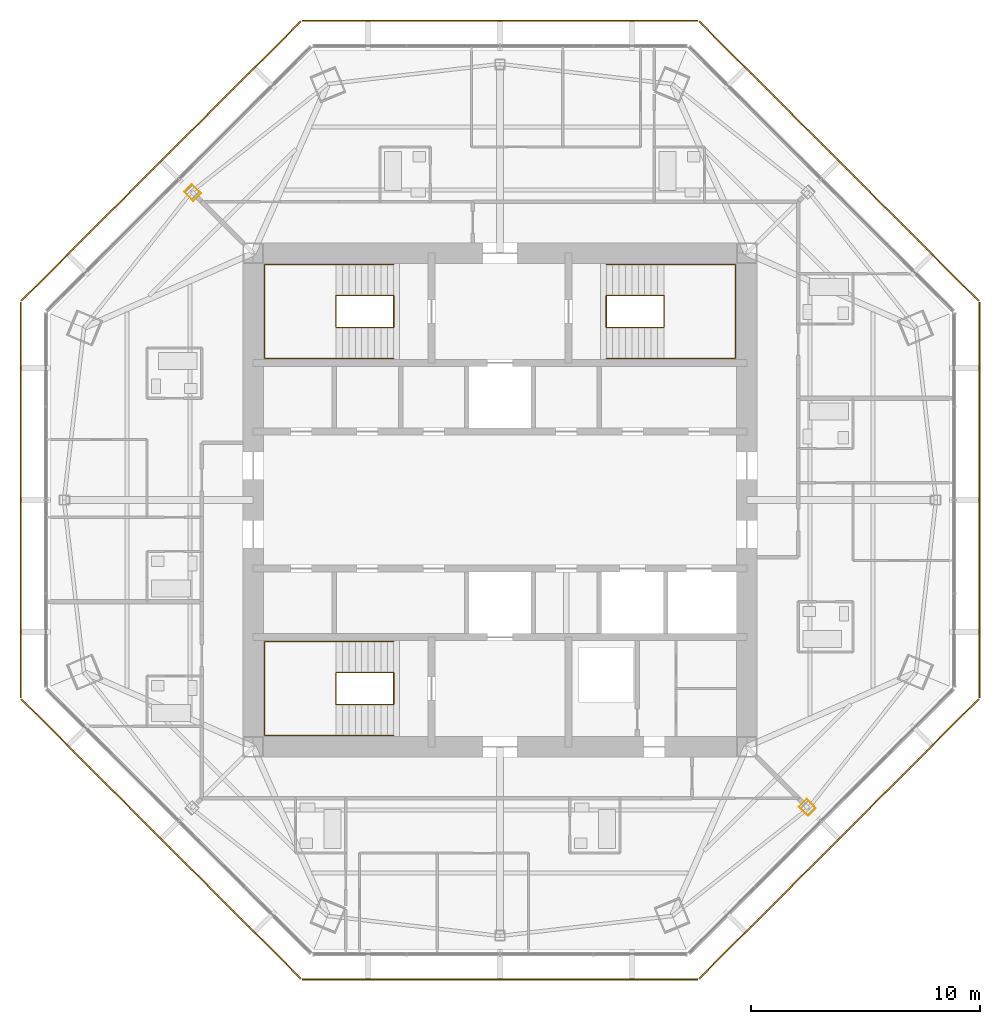
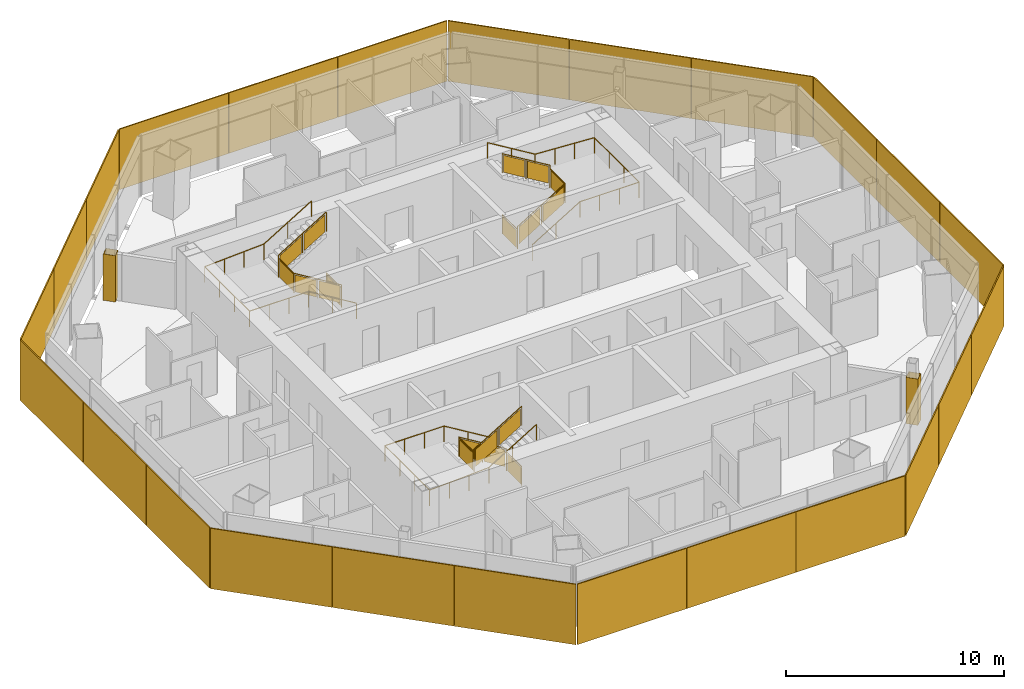
# One storey, part 13 of 14: 24 shading devices, 6 railings, 2 coverings.
"""IFC4 building model written with IfcOpenShell, lengths in metres."""

from ifc_helpers import new_model, si_unit, direction, frame, origin, origin_2d, place, context, subcontext, project, spatial, polyline, rectangle, circle, outline, extrude, source, transform, mapped, material, layer, layer_set, type_object, type_shapes, element, save


model = new_model("IFC4")

# Units and contexts
model_context = context("Model", 3, precision=1e-05, world=origin(), true_north=direction((0.0, 1.0)))
body_context = subcontext(model_context, "Body", "Model", "MODEL_VIEW")
ifc_project = project(units=[si_unit("LENGTHUNIT", "METRE"), si_unit("AREAUNIT", "SQUARE_METRE"), si_unit("VOLUMEUNIT", "CUBIC_METRE"), si_unit("PLANEANGLEUNIT", "RADIAN"), si_unit("MASSUNIT", "GRAM", prefix="KILO")], contexts=[model_context])

# Site, building, storey
site_placement = place(None, origin())
site = spatial("IfcSite", under=ifc_project, at=site_placement, CompositionType="ELEMENT")
building_placement = place(site_placement, origin())
building = spatial("IfcBuilding", under=site, at=building_placement, Name="Mashrafa Tower", CompositionType="ELEMENT")
storey_placement = place(building_placement, frame((0.0, 0.0, 287.800048828125)))
storey = spatial("IfcBuildingStorey", under=building, at=storey_placement, Name="L70", CompositionType="ELEMENT", Elevation=287.800048828125)

# Coverings
ifc_material_1 = material(Name="Gypsum board")
ifc_layer_1 = layer(ifc_material_1, 0.014892578125)
ifc_layer_set_1 = layer_set([ifc_layer_1], Name="Column casing plasterboard 15")
covering_type = type_object("IfcCoveringType", Name="Column casing plasterboard 15", PredefinedType="CLADDING", material=ifc_layer_set_1)
covering_1_placement = place(storey_placement, origin())
element("IfcCovering", 1, at=covering_1_placement, inside=storey, type_object=covering_type, Name="Column casing L70-001", PredefinedType="CLADDING", context=body_context, shape_type="SweptSolid", body=[
    extrude(outline(polyline([(-13.826416015625, 13.48681640625), (-13.48681640625, 13.826416015625), (-13.079345703125, 13.418701171875), (-13.418701171875, 13.079345703125), (-13.826416015625, 13.48681640625)]), holes=[polyline([(-13.1005859375, 13.418701171875), (-13.48681640625, 13.80517578125), (-13.80517578125, 13.48681640625), (-13.418701171875, 13.1005859375), (-13.1005859375, 13.418701171875)])]), origin(), (0.0, 0.0, 1.0), 2.590576171875),
])
covering_2_placement = place(storey_placement, origin())
element("IfcCovering", 2, at=covering_2_placement, inside=storey, type_object=covering_type, Name="Column casing L70-002", PredefinedType="CLADDING", context=body_context, shape_type="SweptSolid", body=[
    extrude(outline(polyline([(13.079345703125, -13.418701171875), (13.418701171875, -13.079345703125), (13.826416015625, -13.48681640625), (13.48681640625, -13.826416015625), (13.079345703125, -13.418701171875)]), holes=[polyline([(13.80517578125, -13.48681640625), (13.418701171875, -13.1005859375), (13.1005859375, -13.418701171875), (13.48681640625, -13.80517578125), (13.80517578125, -13.48681640625)])]), origin(), (0.0, 0.0, 1.0), 2.590576171875),
])

# Railings
ifc_material_2 = material(Name="Steel guard with glass infill", Category="steel")
railing_type_1 = type_object("IfcRailingType", Name="Stair guard 1100", PredefinedType="GUARDRAIL", material=ifc_material_2)
railing_1_placement = place(storey_placement, frame((-4.64990234375, 8.949951171875, 0.0)))
element("IfcRailing", 3, at=railing_1_placement, inside=storey, type_object=railing_type_1, Name="Stair S1 guard L70", PredefinedType="GUARDRAIL", context=body_context, shape_type="SweptSolid", body=[
    extrude(circle(Radius=0.02392578125, at=origin_2d()), frame((0.0, 0.0, 1.076171875), z_axis=(0.0, -1.0, 0.0), x_axis=(1.0, 0.0, 0.0)), (0.0, 0.0, 1.0), 1.39990234375),
    extrude(circle(Radius=0.02392578125, at=origin_2d()), frame((0.0, -1.39990234375, 1.076171875), z_axis=(0.0, 0.0, 1.0), x_axis=(1.0, 0.0, 0.0)), (0.0, 0.0, 1.0), 0.169921875),
    extrude(circle(Radius=0.02392578125, at=origin_2d()), frame((0.0, -1.39990234375, 1.24609375), z_axis=(-0.85478489116, 0.0, 0.518982456201), x_axis=(0.0, -1.0, 0.0)), (0.0, 0.0, 1.0), 2.9482421875),
    extrude(circle(Radius=0.02392578125, at=origin_2d()), frame((-2.52001953125, -1.39990234375, 2.77587890625), z_axis=(0.0, 1.0, 0.0), x_axis=(-1.0, 0.0, 0.0)), (0.0, 0.0, 1.0), 1.39990234375),
    extrude(circle(Radius=0.02392578125, at=origin_2d()), frame((-2.52001953125, 0.0, 2.77587890625), z_axis=(0.0, 0.0, 1.0), x_axis=(1.0, 0.0, 0.0)), (0.0, 0.0, 1.0), 0.169921875),
    extrude(circle(Radius=0.02392578125, at=origin_2d()), frame((-2.52001953125, 0.0, 2.94580078125), z_axis=(0.85478489116, 0.0, 0.518982456201), x_axis=(0.0, 1.0, 0.0)), (0.0, 0.0, 1.0), 2.9482421875),
    extrude(circle(Radius=0.02099609375, at=origin_2d()), origin(), (0.0, 0.0, 1.0), 1.052001953125),
    extrude(circle(Radius=0.02099609375, at=origin_2d()), frame((0.0, -1.39990234375, 0.0)), (0.0, 0.0, 1.0), 1.052001953125),
    extrude(circle(Radius=0.02099609375, at=origin_2d()), frame((0.0, -1.39990234375, 0.169921875)), (0.0, 0.0, 1.0), 1.052001953125),
    extrude(circle(Radius=0.02099609375, at=origin_2d()), frame((-1.260009765625, -1.39990234375, 0.93505859375)), (0.0, 0.0, 1.0), 1.052001953125),
    extrude(circle(Radius=0.02099609375, at=origin_2d()), frame((-2.52001953125, -1.39990234375, 1.699951171875)), (0.0, 0.0, 1.0), 1.052001953125),
    extrude(circle(Radius=0.02099609375, at=origin_2d()), frame((-2.52001953125, 0.0, 1.699951171875)), (0.0, 0.0, 1.0), 1.052001953125),
    extrude(circle(Radius=0.02099609375, at=origin_2d()), frame((-2.52001953125, 0.0, 1.869873046875)), (0.0, 0.0, 1.0), 1.052001953125),
    extrude(circle(Radius=0.02099609375, at=origin_2d()), frame((-1.260009765625, 0.0, 2.634765625)), (0.0, 0.0, 1.0), 1.052001953125),
    extrude(circle(Radius=0.02099609375, at=origin_2d()), frame((0.0, 0.0, 3.39990234375)), (0.0, 0.0, 1.0), 1.052001953125),
    extrude(outline(polyline([(0.071044921875, 0.050048828125), (1.328857421875, 0.050048828125), (1.328857421875, 1.001953125), (0.071044921875, 1.001953125), (0.071044921875, 0.050048828125)])), frame((-0.006103515625, 0.0, 0.0), z_axis=(-1.0, 0.0, 0.0), x_axis=(0.0, -1.0, 0.0)), (0.0, 0.0, 1.0), 0.011962890625),
    extrude(outline(polyline([(0.071044921875, 0.093017578125), (1.18896484375, 0.77197265625), (1.18896484375, 1.723876953125), (0.071044921875, 1.045166015625), (0.071044921875, 0.093017578125)])), frame((0.0, -1.393798828125, 0.169921875), z_axis=(0.0, 1.0, 0.0), x_axis=(-1.0, 0.0, 0.0)), (0.0, 0.0, 1.0), 0.011962890625),
    extrude(outline(polyline([(1.3310546875, 0.858154296875), (2.448974609375, 1.536865234375), (2.448974609375, 2.489013671875), (1.3310546875, 1.81005859375), (1.3310546875, 0.858154296875)])), frame((0.0, -1.393798828125, 0.169921875), z_axis=(0.0, 1.0, 0.0), x_axis=(-1.0, 0.0, 0.0)), (0.0, 0.0, 1.0), 0.011962890625),
    extrude(outline(polyline([(0.071044921875, 0.050048828125), (1.328857421875, 0.050048828125), (1.328857421875, 1.001953125), (0.071044921875, 1.001953125), (0.071044921875, 0.050048828125)])), frame((-2.513916015625, -1.39990234375, 1.699951171875), z_axis=(1.0, 0.0, 0.0), x_axis=(0.0, 1.0, 0.0)), (0.0, 0.0, 1.0), 0.011962890625),
    extrude(outline(polyline([(0.071044921875, 0.093017578125), (1.18896484375, 0.77197265625), (1.18896484375, 1.723876953125), (0.071044921875, 1.045166015625), (0.071044921875, 0.093017578125)])), frame((-2.52001953125, -0.006103515625, 1.869873046875), z_axis=(0.0, -1.0, 0.0), x_axis=(1.0, 0.0, 0.0)), (0.0, 0.0, 1.0), 0.011962890625),
    extrude(outline(polyline([(1.3310546875, 0.858154296875), (2.448974609375, 1.536865234375), (2.448974609375, 2.489013671875), (1.3310546875, 1.81005859375), (1.3310546875, 0.858154296875)])), frame((-2.52001953125, -0.006103515625, 1.869873046875), z_axis=(0.0, -1.0, 0.0), x_axis=(1.0, 0.0, 0.0)), (0.0, 0.0, 1.0), 0.011962890625),
])
railing_2_placement = place(storey_placement, frame((4.64990234375, 8.949951171875, 0.0)))
element("IfcRailing", 4, at=railing_2_placement, inside=storey, type_object=railing_type_1, Name="Stair S2 guard L70", PredefinedType="GUARDRAIL", context=body_context, shape_type="SweptSolid", body=[
    extrude(circle(Radius=0.02392578125, at=origin_2d()), frame((0.0, 0.0, 1.076171875), z_axis=(0.0, -1.0, 0.0), x_axis=(1.0, 0.0, 0.0)), (0.0, 0.0, 1.0), 1.39990234375),
    extrude(circle(Radius=0.02392578125, at=origin_2d()), frame((0.0, -1.39990234375, 1.076171875), z_axis=(0.0, 0.0, 1.0), x_axis=(1.0, 0.0, 0.0)), (0.0, 0.0, 1.0), 0.169921875),
    extrude(circle(Radius=0.02392578125, at=origin_2d()), frame((0.0, -1.39990234375, 1.24609375), z_axis=(0.85478489116, 0.0, 0.518982456201), x_axis=(0.0, 1.0, 0.0)), (0.0, 0.0, 1.0), 2.9482421875),
    extrude(circle(Radius=0.02392578125, at=origin_2d()), frame((2.52001953125, -1.39990234375, 2.77587890625), z_axis=(0.0, 1.0, 0.0), x_axis=(-1.0, 0.0, 0.0)), (0.0, 0.0, 1.0), 1.39990234375),
    extrude(circle(Radius=0.02392578125, at=origin_2d()), frame((2.52001953125, 0.0, 2.77587890625), z_axis=(0.0, 0.0, 1.0), x_axis=(1.0, 0.0, 0.0)), (0.0, 0.0, 1.0), 0.169921875),
    extrude(circle(Radius=0.02392578125, at=origin_2d()), frame((2.52001953125, 0.0, 2.94580078125), z_axis=(-0.85478489116, 0.0, 0.518982456201), x_axis=(0.0, -1.0, 0.0)), (0.0, 0.0, 1.0), 2.9482421875),
    extrude(circle(Radius=0.02099609375, at=origin_2d()), origin(), (0.0, 0.0, 1.0), 1.052001953125),
    extrude(circle(Radius=0.02099609375, at=origin_2d()), frame((0.0, -1.39990234375, 0.0)), (0.0, 0.0, 1.0), 1.052001953125),
    extrude(circle(Radius=0.02099609375, at=origin_2d()), frame((0.0, -1.39990234375, 0.169921875)), (0.0, 0.0, 1.0), 1.052001953125),
    extrude(circle(Radius=0.02099609375, at=origin_2d()), frame((1.260009765625, -1.39990234375, 0.93505859375)), (0.0, 0.0, 1.0), 1.052001953125),
    extrude(circle(Radius=0.02099609375, at=origin_2d()), frame((2.52001953125, -1.39990234375, 1.699951171875)), (0.0, 0.0, 1.0), 1.052001953125),
    extrude(circle(Radius=0.02099609375, at=origin_2d()), frame((2.52001953125, 0.0, 1.699951171875)), (0.0, 0.0, 1.0), 1.052001953125),
    extrude(circle(Radius=0.02099609375, at=origin_2d()), frame((2.52001953125, 0.0, 1.869873046875)), (0.0, 0.0, 1.0), 1.052001953125),
    extrude(circle(Radius=0.02099609375, at=origin_2d()), frame((1.260009765625, 0.0, 2.634765625)), (0.0, 0.0, 1.0), 1.052001953125),
    extrude(circle(Radius=0.02099609375, at=origin_2d()), frame((0.0, 0.0, 3.39990234375)), (0.0, 0.0, 1.0), 1.052001953125),
    extrude(outline(polyline([(0.071044921875, 0.050048828125), (1.328857421875, 0.050048828125), (1.328857421875, 1.001953125), (0.071044921875, 1.001953125), (0.071044921875, 0.050048828125)])), frame((-0.006103515625, 0.0, 0.0), z_axis=(-1.0, 0.0, 0.0), x_axis=(0.0, -1.0, 0.0)), (0.0, 0.0, 1.0), 0.011962890625),
    extrude(outline(polyline([(0.071044921875, 0.093017578125), (1.18896484375, 0.77197265625), (1.18896484375, 1.723876953125), (0.071044921875, 1.045166015625), (0.071044921875, 0.093017578125)])), frame((0.0, -1.406005859375, 0.169921875), z_axis=(0.0, -1.0, 0.0), x_axis=(1.0, 0.0, 0.0)), (0.0, 0.0, 1.0), 0.011962890625),
    extrude(outline(polyline([(1.3310546875, 0.858154296875), (2.448974609375, 1.536865234375), (2.448974609375, 2.489013671875), (1.3310546875, 1.81005859375), (1.3310546875, 0.858154296875)])), frame((0.0, -1.406005859375, 0.169921875), z_axis=(0.0, -1.0, 0.0), x_axis=(1.0, 0.0, 0.0)), (0.0, 0.0, 1.0), 0.011962890625),
    extrude(outline(polyline([(0.071044921875, 0.050048828125), (1.328857421875, 0.050048828125), (1.328857421875, 1.001953125), (0.071044921875, 1.001953125), (0.071044921875, 0.050048828125)])), frame((2.526123046875, -1.39990234375, 1.699951171875), z_axis=(1.0, 0.0, 0.0), x_axis=(0.0, 1.0, 0.0)), (0.0, 0.0, 1.0), 0.011962890625),
    extrude(outline(polyline([(0.071044921875, 0.093017578125), (1.18896484375, 0.77197265625), (1.18896484375, 1.723876953125), (0.071044921875, 1.045166015625), (0.071044921875, 0.093017578125)])), frame((2.52001953125, 0.006103515625, 1.869873046875), z_axis=(0.0, 1.0, 0.0), x_axis=(-1.0, 0.0, 0.0)), (0.0, 0.0, 1.0), 0.011962890625),
    extrude(outline(polyline([(1.3310546875, 0.858154296875), (2.448974609375, 1.536865234375), (2.448974609375, 2.489013671875), (1.3310546875, 1.81005859375), (1.3310546875, 0.858154296875)])), frame((2.52001953125, 0.006103515625, 1.869873046875), z_axis=(0.0, 1.0, 0.0), x_axis=(-1.0, 0.0, 0.0)), (0.0, 0.0, 1.0), 0.011962890625),
])
railing_3_placement = place(storey_placement, frame((-4.64990234375, -8.949951171875, 0.0)))
element("IfcRailing", 5, at=railing_3_placement, inside=storey, type_object=railing_type_1, Name="Stair S3 guard L70", PredefinedType="GUARDRAIL", context=body_context, shape_type="SweptSolid", body=[
    extrude(circle(Radius=0.02392578125, at=origin_2d()), frame((0.0, 0.0, 1.076171875), z_axis=(0.0, 1.0, 0.0), x_axis=(-1.0, 0.0, 0.0)), (0.0, 0.0, 1.0), 1.39990234375),
    extrude(circle(Radius=0.02392578125, at=origin_2d()), frame((0.0, 1.39990234375, 1.076171875), z_axis=(0.0, 0.0, 1.0), x_axis=(1.0, 0.0, 0.0)), (0.0, 0.0, 1.0), 0.169921875),
    extrude(circle(Radius=0.02392578125, at=origin_2d()), frame((0.0, 1.39990234375, 1.24609375), z_axis=(-0.85478489116, 0.0, 0.518982456201), x_axis=(0.0, -1.0, 0.0)), (0.0, 0.0, 1.0), 2.9482421875),
    extrude(circle(Radius=0.02392578125, at=origin_2d()), frame((-2.52001953125, 1.39990234375, 2.77587890625), z_axis=(0.0, -1.0, 0.0), x_axis=(1.0, 0.0, 0.0)), (0.0, 0.0, 1.0), 1.39990234375),
    extrude(circle(Radius=0.02392578125, at=origin_2d()), frame((-2.52001953125, 0.0, 2.77587890625), z_axis=(0.0, 0.0, 1.0), x_axis=(1.0, 0.0, 0.0)), (0.0, 0.0, 1.0), 0.169921875),
    extrude(circle(Radius=0.02392578125, at=origin_2d()), frame((-2.52001953125, 0.0, 2.94580078125), z_axis=(0.85478489116, 0.0, 0.518982456201), x_axis=(0.0, 1.0, 0.0)), (0.0, 0.0, 1.0), 2.9482421875),
    extrude(circle(Radius=0.02099609375, at=origin_2d()), origin(), (0.0, 0.0, 1.0), 1.052001953125),
    extrude(circle(Radius=0.02099609375, at=origin_2d()), frame((0.0, 1.39990234375, 0.0)), (0.0, 0.0, 1.0), 1.052001953125),
    extrude(circle(Radius=0.02099609375, at=origin_2d()), frame((0.0, 1.39990234375, 0.169921875)), (0.0, 0.0, 1.0), 1.052001953125),
    extrude(circle(Radius=0.02099609375, at=origin_2d()), frame((-1.260009765625, 1.39990234375, 0.93505859375)), (0.0, 0.0, 1.0), 1.052001953125),
    extrude(circle(Radius=0.02099609375, at=origin_2d()), frame((-2.52001953125, 1.39990234375, 1.699951171875)), (0.0, 0.0, 1.0), 1.052001953125),
    extrude(circle(Radius=0.02099609375, at=origin_2d()), frame((-2.52001953125, 0.0, 1.699951171875)), (0.0, 0.0, 1.0), 1.052001953125),
    extrude(circle(Radius=0.02099609375, at=origin_2d()), frame((-2.52001953125, 0.0, 1.869873046875)), (0.0, 0.0, 1.0), 1.052001953125),
    extrude(circle(Radius=0.02099609375, at=origin_2d()), frame((-1.260009765625, 0.0, 2.634765625)), (0.0, 0.0, 1.0), 1.052001953125),
    extrude(circle(Radius=0.02099609375, at=origin_2d()), frame((0.0, 0.0, 3.39990234375)), (0.0, 0.0, 1.0), 1.052001953125),
    extrude(outline(polyline([(0.071044921875, 0.050048828125), (1.328857421875, 0.050048828125), (1.328857421875, 1.001953125), (0.071044921875, 1.001953125), (0.071044921875, 0.050048828125)])), frame((0.006103515625, 0.0, 0.0), z_axis=(1.0, 0.0, 0.0), x_axis=(0.0, 1.0, 0.0)), (0.0, 0.0, 1.0), 0.011962890625),
    extrude(outline(polyline([(0.071044921875, 0.093017578125), (1.18896484375, 0.77197265625), (1.18896484375, 1.723876953125), (0.071044921875, 1.045166015625), (0.071044921875, 0.093017578125)])), frame((0.0, 1.406005859375, 0.169921875), z_axis=(0.0, 1.0, 0.0), x_axis=(-1.0, 0.0, 0.0)), (0.0, 0.0, 1.0), 0.011962890625),
    extrude(outline(polyline([(1.3310546875, 0.858154296875), (2.448974609375, 1.536865234375), (2.448974609375, 2.489013671875), (1.3310546875, 1.81005859375), (1.3310546875, 0.858154296875)])), frame((0.0, 1.406005859375, 0.169921875), z_axis=(0.0, 1.0, 0.0), x_axis=(-1.0, 0.0, 0.0)), (0.0, 0.0, 1.0), 0.011962890625),
    extrude(outline(polyline([(0.071044921875, 0.050048828125), (1.328857421875, 0.050048828125), (1.328857421875, 1.001953125), (0.071044921875, 1.001953125), (0.071044921875, 0.050048828125)])), frame((-2.526123046875, 1.39990234375, 1.699951171875), z_axis=(-1.0, 0.0, 0.0), x_axis=(0.0, -1.0, 0.0)), (0.0, 0.0, 1.0), 0.011962890625),
    extrude(outline(polyline([(0.071044921875, 0.093017578125), (1.18896484375, 0.77197265625), (1.18896484375, 1.723876953125), (0.071044921875, 1.045166015625), (0.071044921875, 0.093017578125)])), frame((-2.52001953125, -0.006103515625, 1.869873046875), z_axis=(0.0, -1.0, 0.0), x_axis=(1.0, 0.0, 0.0)), (0.0, 0.0, 1.0), 0.011962890625),
    extrude(outline(polyline([(1.3310546875, 0.858154296875), (2.448974609375, 1.536865234375), (2.448974609375, 2.489013671875), (1.3310546875, 1.81005859375), (1.3310546875, 0.858154296875)])), frame((-2.52001953125, -0.006103515625, 1.869873046875), z_axis=(0.0, -1.0, 0.0), x_axis=(1.0, 0.0, 0.0)), (0.0, 0.0, 1.0), 0.011962890625),
])
ifc_material_3 = material(Name="Steel", Category="steel")
railing_type_2 = type_object("IfcRailingType", Name="Stair handrail 900", PredefinedType="HANDRAIL", material=ifc_material_3)
railing_4_placement = place(storey_placement, frame((-4.64990234375, 6.199951171875, 0.169921875)))
element("IfcRailing", 6, at=railing_4_placement, inside=storey, type_object=railing_type_2, Name="Stair S1 handrail L70", PredefinedType="HANDRAIL", context=body_context, shape_type="SweptSolid", body=[
    extrude(circle(Radius=0.02392578125, at=origin_2d()), frame((0.0, 0.0, 0.8759765625), z_axis=(-0.85478489116, 0.0, 0.518982456201), x_axis=(0.0, -1.0, 0.0)), (0.0, 0.0, 1.0), 2.9482421875),
    extrude(circle(Radius=0.02392578125, at=origin_2d()), frame((-2.52001953125, 0.0, 2.40576171875), z_axis=(-1.0, 0.0, 0.0), x_axis=(0.0, -1.0, 0.0)), (0.0, 0.0, 1.0), 3.130126953125),
    extrude(circle(Radius=0.02392578125, at=origin_2d()), frame((-5.650146484375, 0.0, 2.40576171875), z_axis=(0.0, 1.0, 0.0), x_axis=(-1.0, 0.0, 0.0)), (0.0, 0.0, 1.0), 4.10009765625),
    extrude(circle(Radius=0.02392578125, at=origin_2d()), frame((-5.650146484375, 4.10009765625, 2.40576171875), z_axis=(0.998529767259, 0.0, 0.054206124172), x_axis=(0.0, 1.0, 0.0)), (0.0, 0.0, 1.0), 3.134765625),
    extrude(circle(Radius=0.02392578125, at=origin_2d()), frame((-2.52001953125, 4.10009765625, 2.57568359375), z_axis=(0.85478489116, 0.0, 0.518982456201), x_axis=(0.0, 1.0, 0.0)), (0.0, 0.0, 1.0), 2.9482421875),
    extrude(circle(Radius=0.02099609375, at=origin_2d()), origin(), (0.0, 0.0, 1.0), 0.851806640625),
    extrude(circle(Radius=0.02099609375, at=origin_2d()), frame((-1.260009765625, 0.0, 0.76513671875)), (0.0, 0.0, 1.0), 0.851806640625),
    extrude(circle(Radius=0.02099609375, at=origin_2d()), frame((-2.52001953125, 0.0, 1.530029296875)), (0.0, 0.0, 1.0), 0.851806640625),
    extrude(circle(Radius=0.02099609375, at=origin_2d()), frame((-3.5634765625, 0.0, 1.530029296875)), (0.0, 0.0, 1.0), 0.851806640625),
    extrude(circle(Radius=0.02099609375, at=origin_2d()), frame((-4.606689453125, 0.0, 1.530029296875)), (0.0, 0.0, 1.0), 0.851806640625),
    extrude(circle(Radius=0.02099609375, at=origin_2d()), frame((-5.650146484375, 0.0, 1.530029296875)), (0.0, 0.0, 1.0), 0.851806640625),
    extrude(circle(Radius=0.02099609375, at=origin_2d()), frame((-5.650146484375, 1.36669921875, 1.530029296875)), (0.0, 0.0, 1.0), 0.851806640625),
    extrude(circle(Radius=0.02099609375, at=origin_2d()), frame((-5.650146484375, 2.7333984375, 1.530029296875)), (0.0, 0.0, 1.0), 0.851806640625),
    extrude(circle(Radius=0.02099609375, at=origin_2d()), frame((-5.650146484375, 4.10009765625, 1.530029296875)), (0.0, 0.0, 1.0), 0.851806640625),
    extrude(circle(Radius=0.02099609375, at=origin_2d()), frame((-4.606689453125, 4.10009765625, 1.586669921875)), (0.0, 0.0, 1.0), 0.851806640625),
    extrude(circle(Radius=0.02099609375, at=origin_2d()), frame((-3.5634765625, 4.10009765625, 1.643310546875)), (0.0, 0.0, 1.0), 0.851806640625),
    extrude(circle(Radius=0.02099609375, at=origin_2d()), frame((-2.52001953125, 4.10009765625, 1.699951171875)), (0.0, 0.0, 1.0), 0.851806640625),
    extrude(circle(Radius=0.02099609375, at=origin_2d()), frame((-1.260009765625, 4.10009765625, 2.46484375)), (0.0, 0.0, 1.0), 0.851806640625),
    extrude(circle(Radius=0.02099609375, at=origin_2d()), frame((0.0, 4.10009765625, 3.22998046875)), (0.0, 0.0, 1.0), 0.851806640625),
])
railing_5_placement = place(storey_placement, frame((4.64990234375, 6.199951171875, 0.169921875)))
element("IfcRailing", 7, at=railing_5_placement, inside=storey, type_object=railing_type_2, Name="Stair S2 handrail L70", PredefinedType="HANDRAIL", context=body_context, shape_type="SweptSolid", body=[
    extrude(circle(Radius=0.02392578125, at=origin_2d()), frame((0.0, 0.0, 0.8759765625), z_axis=(0.85478489116, 0.0, 0.518982456201), x_axis=(0.0, 1.0, 0.0)), (0.0, 0.0, 1.0), 2.9482421875),
    extrude(circle(Radius=0.02392578125, at=origin_2d()), frame((2.52001953125, 0.0, 2.40576171875), z_axis=(1.0, 0.0, 0.0), x_axis=(0.0, 1.0, 0.0)), (0.0, 0.0, 1.0), 3.130126953125),
    extrude(circle(Radius=0.02392578125, at=origin_2d()), frame((5.650146484375, 0.0, 2.40576171875), z_axis=(0.0, 1.0, 0.0), x_axis=(-1.0, 0.0, 0.0)), (0.0, 0.0, 1.0), 4.10009765625),
    extrude(circle(Radius=0.02392578125, at=origin_2d()), frame((5.650146484375, 4.10009765625, 2.40576171875), z_axis=(-0.998529767259, 0.0, 0.054206124172), x_axis=(0.0, -1.0, 0.0)), (0.0, 0.0, 1.0), 3.134765625),
    extrude(circle(Radius=0.02392578125, at=origin_2d()), frame((2.52001953125, 4.10009765625, 2.57568359375), z_axis=(-0.85478489116, 0.0, 0.518982456201), x_axis=(0.0, -1.0, 0.0)), (0.0, 0.0, 1.0), 2.9482421875),
    extrude(circle(Radius=0.02099609375, at=origin_2d()), origin(), (0.0, 0.0, 1.0), 0.851806640625),
    extrude(circle(Radius=0.02099609375, at=origin_2d()), frame((1.260009765625, 0.0, 0.76513671875)), (0.0, 0.0, 1.0), 0.851806640625),
    extrude(circle(Radius=0.02099609375, at=origin_2d()), frame((2.52001953125, 0.0, 1.530029296875)), (0.0, 0.0, 1.0), 0.851806640625),
    extrude(circle(Radius=0.02099609375, at=origin_2d()), frame((3.5634765625, 0.0, 1.530029296875)), (0.0, 0.0, 1.0), 0.851806640625),
    extrude(circle(Radius=0.02099609375, at=origin_2d()), frame((4.606689453125, 0.0, 1.530029296875)), (0.0, 0.0, 1.0), 0.851806640625),
    extrude(circle(Radius=0.02099609375, at=origin_2d()), frame((5.650146484375, 0.0, 1.530029296875)), (0.0, 0.0, 1.0), 0.851806640625),
    extrude(circle(Radius=0.02099609375, at=origin_2d()), frame((5.650146484375, 1.36669921875, 1.530029296875)), (0.0, 0.0, 1.0), 0.851806640625),
    extrude(circle(Radius=0.02099609375, at=origin_2d()), frame((5.650146484375, 2.7333984375, 1.530029296875)), (0.0, 0.0, 1.0), 0.851806640625),
    extrude(circle(Radius=0.02099609375, at=origin_2d()), frame((5.650146484375, 4.10009765625, 1.530029296875)), (0.0, 0.0, 1.0), 0.851806640625),
    extrude(circle(Radius=0.02099609375, at=origin_2d()), frame((4.606689453125, 4.10009765625, 1.586669921875)), (0.0, 0.0, 1.0), 0.851806640625),
    extrude(circle(Radius=0.02099609375, at=origin_2d()), frame((3.5634765625, 4.10009765625, 1.643310546875)), (0.0, 0.0, 1.0), 0.851806640625),
    extrude(circle(Radius=0.02099609375, at=origin_2d()), frame((2.52001953125, 4.10009765625, 1.699951171875)), (0.0, 0.0, 1.0), 0.851806640625),
    extrude(circle(Radius=0.02099609375, at=origin_2d()), frame((1.260009765625, 4.10009765625, 2.46484375)), (0.0, 0.0, 1.0), 0.851806640625),
    extrude(circle(Radius=0.02099609375, at=origin_2d()), frame((0.0, 4.10009765625, 3.22998046875)), (0.0, 0.0, 1.0), 0.851806640625),
])
railing_6_placement = place(storey_placement, frame((-4.64990234375, -6.199951171875, 0.169921875)))
element("IfcRailing", 8, at=railing_6_placement, inside=storey, type_object=railing_type_2, Name="Stair S3 handrail L70", PredefinedType="HANDRAIL", context=body_context, shape_type="SweptSolid", body=[
    extrude(circle(Radius=0.02392578125, at=origin_2d()), frame((0.0, 0.0, 0.8759765625), z_axis=(-0.85478489116, 0.0, 0.518982456201), x_axis=(0.0, -1.0, 0.0)), (0.0, 0.0, 1.0), 2.9482421875),
    extrude(circle(Radius=0.02392578125, at=origin_2d()), frame((-2.52001953125, 0.0, 2.40576171875), z_axis=(-1.0, 0.0, 0.0), x_axis=(0.0, -1.0, 0.0)), (0.0, 0.0, 1.0), 3.130126953125),
    extrude(circle(Radius=0.02392578125, at=origin_2d()), frame((-5.650146484375, 0.0, 2.40576171875), z_axis=(0.0, -1.0, 0.0), x_axis=(1.0, 0.0, 0.0)), (0.0, 0.0, 1.0), 4.10009765625),
    extrude(circle(Radius=0.02392578125, at=origin_2d()), frame((-5.650146484375, -4.10009765625, 2.40576171875), z_axis=(0.998529767259, 0.0, 0.054206124172), x_axis=(0.0, 1.0, 0.0)), (0.0, 0.0, 1.0), 3.134765625),
    extrude(circle(Radius=0.02392578125, at=origin_2d()), frame((-2.52001953125, -4.10009765625, 2.57568359375), z_axis=(0.85478489116, 0.0, 0.518982456201), x_axis=(0.0, 1.0, 0.0)), (0.0, 0.0, 1.0), 2.9482421875),
    extrude(circle(Radius=0.02099609375, at=origin_2d()), origin(), (0.0, 0.0, 1.0), 0.851806640625),
    extrude(circle(Radius=0.02099609375, at=origin_2d()), frame((-1.260009765625, 0.0, 0.76513671875)), (0.0, 0.0, 1.0), 0.851806640625),
    extrude(circle(Radius=0.02099609375, at=origin_2d()), frame((-2.52001953125, 0.0, 1.530029296875)), (0.0, 0.0, 1.0), 0.851806640625),
    extrude(circle(Radius=0.02099609375, at=origin_2d()), frame((-3.5634765625, 0.0, 1.530029296875)), (0.0, 0.0, 1.0), 0.851806640625),
    extrude(circle(Radius=0.02099609375, at=origin_2d()), frame((-4.606689453125, 0.0, 1.530029296875)), (0.0, 0.0, 1.0), 0.851806640625),
    extrude(circle(Radius=0.02099609375, at=origin_2d()), frame((-5.650146484375, 0.0, 1.530029296875)), (0.0, 0.0, 1.0), 0.851806640625),
    extrude(circle(Radius=0.02099609375, at=origin_2d()), frame((-5.650146484375, -1.36669921875, 1.530029296875)), (0.0, 0.0, 1.0), 0.851806640625),
    extrude(circle(Radius=0.02099609375, at=origin_2d()), frame((-5.650146484375, -2.7333984375, 1.530029296875)), (0.0, 0.0, 1.0), 0.851806640625),
    extrude(circle(Radius=0.02099609375, at=origin_2d()), frame((-5.650146484375, -4.10009765625, 1.530029296875)), (0.0, 0.0, 1.0), 0.851806640625),
    extrude(circle(Radius=0.02099609375, at=origin_2d()), frame((-4.606689453125, -4.10009765625, 1.586669921875)), (0.0, 0.0, 1.0), 0.851806640625),
    extrude(circle(Radius=0.02099609375, at=origin_2d()), frame((-3.5634765625, -4.10009765625, 1.643310546875)), (0.0, 0.0, 1.0), 0.851806640625),
    extrude(circle(Radius=0.02099609375, at=origin_2d()), frame((-2.52001953125, -4.10009765625, 1.699951171875)), (0.0, 0.0, 1.0), 0.851806640625),
    extrude(circle(Radius=0.02099609375, at=origin_2d()), frame((-1.260009765625, -4.10009765625, 2.46484375)), (0.0, 0.0, 1.0), 0.851806640625),
    extrude(circle(Radius=0.02099609375, at=origin_2d()), frame((0.0, -4.10009765625, 3.22998046875)), (0.0, 0.0, 1.0), 0.851806640625),
])

# Shading devices
ifc_material_4 = material(Name="Perforated aluminium plate, eight-point star pattern", Category="aluminium")
ifc_layer_2 = layer(ifc_material_4, 0.06005859375)
ifc_layer_set_2 = layer_set([ifc_layer_2], Name="Mashrabiya screen panel apartment zone 4, 22 percent open")
shading_device_type = type_object("IfcShadingDeviceType", Name="Mashrabiya screen panel apartment zone 4, 22 percent open", PredefinedType="SHUTTER", material=ifc_layer_set_2)
shared_shape = source(origin(), body_context, "Body", "SweptSolid", [
    extrude(rectangle(XDim=5.756591796875, YDim=0.06005859375, at=origin_2d()), origin(), (0.0, 0.0, 1.0), 3.3798828125),
])
type_shapes(shading_device_type, [shared_shape])
for number, where, z_axis, x_axis, name in (
    (9, (20.973388671875, -5.776611328125, -0.14990234375), (0.0, 0.0, 1.0), (0.0, 1.0, 0.0), "Mashrabiya screen L70 east 1"),
    (10, (20.973388671875, 0.0, -0.14990234375), (0.0, 0.0, 1.0), (0.0, 1.0, 0.0), "Mashrabiya screen L70 east 2"),
    (11, (20.973388671875, 5.776611328125, -0.14990234375), (0.0, 0.0, 1.0), (0.0, 1.0, 0.0), "Mashrabiya screen L70 east 3"),
    (12, (18.9150390625, 10.74560546875, -0.14990234375), (0.0, 0.0, 1.0), (-0.707106781187, 0.707106781187, 0.0), "Mashrabiya screen L70 north-east 1"),
    (13, (14.830322265625, 14.830322265625, -0.14990234375), (0.0, 0.0, 1.0), (-0.707106781187, 0.707106781187, 0.0), "Mashrabiya screen L70 north-east 2"),
    (14, (10.74560546875, 18.9150390625, -0.14990234375), (0.0, 0.0, 1.0), (-0.707106781187, 0.707106781187, 0.0), "Mashrabiya screen L70 north-east 3"),
    (15, (5.776611328125, 20.973388671875, -0.14990234375), (0.0, 0.0, 1.0), (-1.0, 0.0, 0.0), "Mashrabiya screen L70 north 1"),
    (16, (0.0, 20.973388671875, -0.14990234375), (0.0, 0.0, 1.0), (-1.0, 0.0, 0.0), "Mashrabiya screen L70 north 2"),
    (17, (-5.776611328125, 20.973388671875, -0.14990234375), (0.0, 0.0, 1.0), (-1.0, 0.0, 0.0), "Mashrabiya screen L70 north 3"),
    (18, (-10.74560546875, 18.9150390625, -0.14990234375), (0.0, 0.0, 1.0), (-0.707106781187, -0.707106781187, 0.0), "Mashrabiya screen L70 north-west 1"),
    (19, (-14.830322265625, 14.830322265625, -0.14990234375), (0.0, 0.0, 1.0), (-0.707106781187, -0.707106781187, 0.0), "Mashrabiya screen L70 north-west 2"),
    (20, (-18.9150390625, 10.74560546875, -0.14990234375), (0.0, 0.0, 1.0), (-0.707106781187, -0.707106781187, 0.0), "Mashrabiya screen L70 north-west 3"),
    (21, (-20.973388671875, 5.776611328125, -0.14990234375), (0.0, 0.0, 1.0), (0.0, -1.0, 0.0), "Mashrabiya screen L70 west 1"),
    (22, (-20.973388671875, 0.0, -0.14990234375), (0.0, 0.0, 1.0), (0.0, -1.0, 0.0), "Mashrabiya screen L70 west 2"),
    (23, (-20.973388671875, -5.776611328125, -0.14990234375), (0.0, 0.0, 1.0), (0.0, -1.0, 0.0), "Mashrabiya screen L70 west 3"),
    (24, (-18.9150390625, -10.74560546875, -0.14990234375), (0.0, 0.0, 1.0), (0.707106781187, -0.707106781187, 0.0), "Mashrabiya screen L70 south-west 1"),
    (25, (-14.830322265625, -14.830322265625, -0.14990234375), (0.0, 0.0, 1.0), (0.707106781187, -0.707106781187, 0.0), "Mashrabiya screen L70 south-west 2"),
    (26, (-10.74560546875, -18.9150390625, -0.14990234375), (0.0, 0.0, 1.0), (0.707106781187, -0.707106781187, 0.0), "Mashrabiya screen L70 south-west 3"),
    (27, (-5.776611328125, -20.973388671875, -0.14990234375), (0.0, 0.0, 1.0), (1.0, 0.0, 0.0), "Mashrabiya screen L70 south 1"),
    (28, (0.0, -20.973388671875, -0.14990234375), (0.0, 0.0, 1.0), (1.0, 0.0, 0.0), "Mashrabiya screen L70 south 2"),
    (29, (5.776611328125, -20.973388671875, -0.14990234375), (0.0, 0.0, 1.0), (1.0, 0.0, 0.0), "Mashrabiya screen L70 south 3"),
    (30, (10.74560546875, -18.9150390625, -0.14990234375), (0.0, 0.0, 1.0), (0.707106781187, 0.707106781187, 0.0), "Mashrabiya screen L70 south-east 1"),
    (31, (14.830322265625, -14.830322265625, -0.14990234375), (0.0, 0.0, 1.0), (0.707106781187, 0.707106781187, 0.0), "Mashrabiya screen L70 south-east 2"),
    (32, (18.9150390625, -10.74560546875, -0.14990234375), (0.0, 0.0, 1.0), (0.707106781187, 0.707106781187, 0.0), "Mashrabiya screen L70 south-east 3"),
):
    element("IfcShadingDevice", number, at=place(storey_placement, frame(where, z_axis=z_axis, x_axis=x_axis)), inside=storey, type_object=shading_device_type, Name=name, PredefinedType="SHUTTER", context=body_context, shape_type="MappedRepresentation", body=[
        mapped(shared_shape, transform((0.0, 0.0, 0.0))),
    ])

save(model, "model.ifc")
